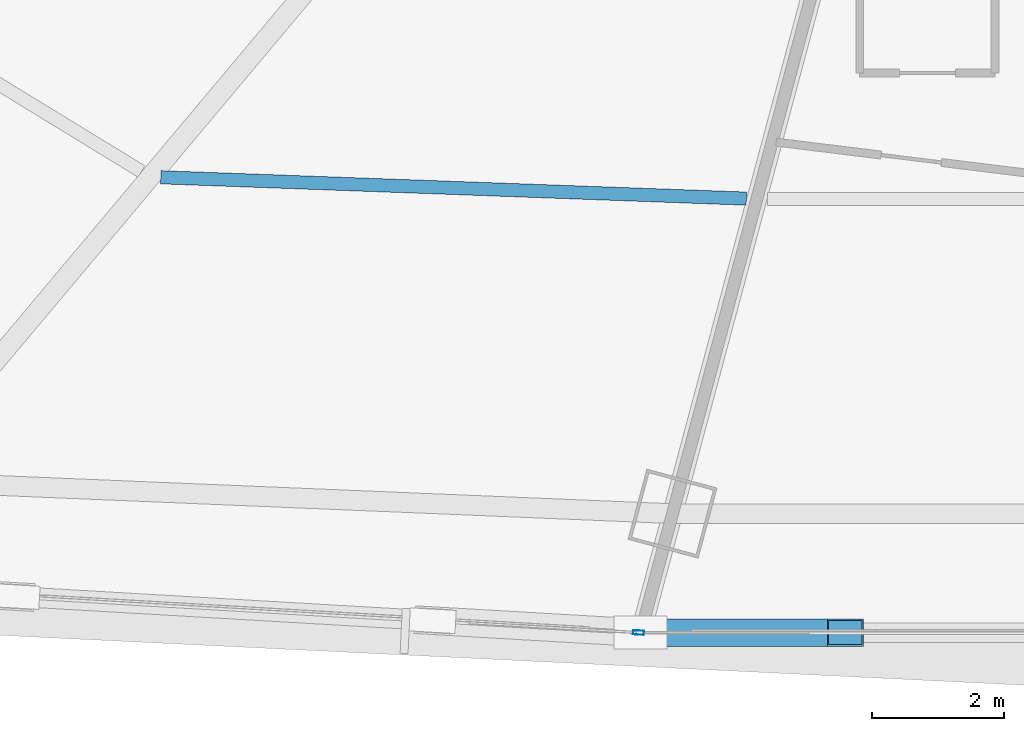
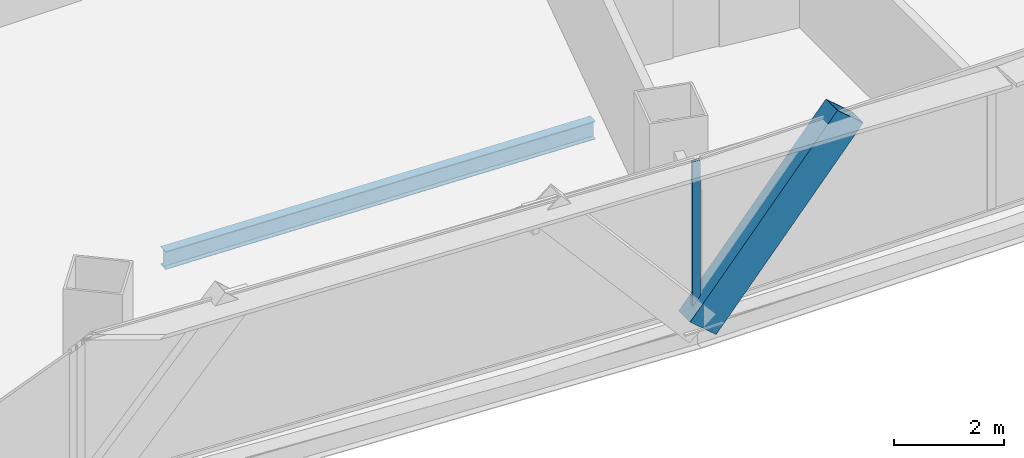
# One storey, part 8 of 38: 2 members, 1 beam, 1 element without a shape of its own.
"""IFC4 building model written with IfcOpenShell, lengths in metres."""

from ifc_helpers import new_model, si_unit, direction, frame, origin, origin_2d, place, context, subcontext, project, spatial, hollow_rectangle, i_section, extrude, source, transform, mapped, material, layer, layer_set, material_profile, profile_set, type_object, element, aggregate, save


model = new_model("IFC4")

# Units and contexts
model_context = context("Model", 3, precision=1e-05, world=origin(), true_north=direction((0.0, 1.0)))
body_context = subcontext(model_context, "Body", "Model", "MODEL_VIEW")
ifc_project = project(units=[si_unit("LENGTHUNIT", "METRE"), si_unit("AREAUNIT", "SQUARE_METRE"), si_unit("VOLUMEUNIT", "CUBIC_METRE"), si_unit("PLANEANGLEUNIT", "RADIAN"), si_unit("MASSUNIT", "GRAM", prefix="KILO"), si_unit("THERMODYNAMICTEMPERATUREUNIT", "KELVIN"), si_unit("POWERUNIT", "WATT")], contexts=[model_context])

# Site, building, storey
site_placement = place(None, origin())
site = spatial("IfcSite", under=ifc_project, at=site_placement, CompositionType="ELEMENT")
building_placement = place(site_placement, origin())
building = spatial("IfcBuilding", under=site, at=building_placement, Name="Yunzhuo Pagoda Commons", CompositionType="ELEMENT")
storey_placement = place(building_placement, frame((0.0, 0.0, 34.030029296875)))
storey = spatial("IfcBuildingStorey", under=building, at=storey_placement, Name="L08", CompositionType="ELEMENT", Elevation=34.030029296875)

# Beam
ifc_material_1 = material(Name="Structural steel Q355B", Category="steel")
ifc_material_profile_1 = material_profile(ifc_material_1, i_section(OverallWidth=0.199951171875, OverallDepth=0.39990234375, WebThickness=0.008056640625, FlangeThickness=0.012939453125, at=origin_2d()), Name="Structural steel Q355B")
ifc_profile_set_1 = profile_set([ifc_material_profile_1], Name="Structural steel Q355B")
beam_type = type_object("IfcBeamType", Name="B-JS1 Joist HN 400x200x8x13", PredefinedType="JOIST", material=ifc_profile_set_1)
shared_shape_1 = source(origin(), body_context, "Body", "SweptSolid", [
    extrude(i_section(OverallWidth=0.199951171875, OverallDepth=0.39990234375, WebThickness=0.008056640625, FlangeThickness=0.012939453125, at=origin_2d()), origin(), (0.0, 0.0, 1.0), 8.876953125),
])
beam_placement = place(storey_placement, frame((34.527099609375, 17.448486328125, -0.4599609375), z_axis=(0.999335806416, -0.036440993601, 0.0), x_axis=(0.036440993601, 0.999335806416, 0.0)))
element("IfcBeam", 1, at=beam_placement, inside=storey, type_object=beam_type, Name="L08 composite ring joist 2.1", PredefinedType="JOIST", context=body_context, shape_type="MappedRepresentation", body=[
    mapped(shared_shape_1, transform((0.0, 0.0, 0.0), scale=1.0)),
])

# Member
ifc_material_2 = material(Name="Structural steel Q420B", Category="steel")
ifc_material_profile_2 = material_profile(ifc_material_2, hollow_rectangle(XDim=0.419921875, YDim=0.719970703125, WallThickness=0.028076171875, at=origin_2d()), Name="Structural steel Q420B")
ifc_profile_set_2 = profile_set([ifc_material_profile_2], Name="Structural steel Q420B")
member_type_1 = type_object("IfcMemberType", Name="M-DL1 Brace BOX 720x420x28", PredefinedType="BRACE", material=ifc_profile_set_2)
shared_shape_2 = source(origin(), body_context, "Body", "SweptSolid", [
    extrude(hollow_rectangle(XDim=0.419921875, YDim=0.719970703125, WallThickness=0.028076171875, at=origin_2d()), origin(), (0.0, 0.0, 1.0), 4.7744140625),
])
member_1_placement = place(storey_placement, frame((41.79638671875, 10.548095703125, -0.259765625), z_axis=(0.649666298167, 0.0, 0.760219508449), x_axis=(0.0, 1.0, 0.0)))
element("IfcMember", 2, at=member_1_placement, inside=storey, type_object=member_type_1, Name="L08 facade diamond brace F1.2L", PredefinedType="BRACE", context=body_context, shape_type="MappedRepresentation", body=[
    mapped(shared_shape_2, transform((0.0, 0.0, 0.0), scale=1.0)),
])

# Curtain wall, member
ifc_material_3 = material(Name="Anodized aluminium 6063-T6", Category="aluminium")
ifc_layer = layer(ifc_material_3, 0.1650390625)
ifc_layer_set = layer_set([ifc_layer], Name="Anodized aluminium 6063-T6")
curtain_wall_type = type_object("IfcCurtainWallType", Name="CW-LOW Low-Zone Ribbon Curtain Wall", PredefinedType="NOTDEFINED", material=ifc_layer_set)
curtain_wall_placement = place(storey_placement, origin())
curtain_wall = element("IfcCurtainWall", 3, at=curtain_wall_placement, inside=storey, type_object=curtain_wall_type, Name="L08 curtain wall CW-L08-F1B2", PredefinedType="NOTDEFINED")
ifc_material_profile_3 = material_profile(ifc_material_3, hollow_rectangle(XDim=0.06494140625, YDim=0.1650390625, WallThickness=0.00390625, at=origin_2d()), Name="Anodized aluminium 6063-T6")
ifc_profile_set_3 = profile_set([ifc_material_profile_3], Name="Anodized aluminium 6063-T6")
member_type_2 = type_object("IfcMemberType", Name="CW-LOW-M Mullion RHS 165x65x4", PredefinedType="MULLION", material=ifc_profile_set_3)
shared_shape_3 = source(origin(), body_context, "Body", "SweptSolid", [
    extrude(hollow_rectangle(XDim=0.06494140625, YDim=0.1650390625, WallThickness=0.00390625, at=origin_2d()), origin(), (0.0, 0.0, 1.0), 3.369873046875),
])
member_2_placement = place(storey_placement, frame((41.76416015625, 10.550048828125, 0.0), z_axis=(0.0, 0.0, 1.0), x_axis=(0.05789866519, 0.998322465223, 0.0)))
member_2 = element("IfcMember", 4, at=member_2_placement, type_object=member_type_2, Name="CW mullion 2", PredefinedType="MULLION", context=body_context, shape_type="MappedRepresentation", body=[
    mapped(shared_shape_3, transform((0.0, 0.0, 0.0), scale=1.0)),
])
aggregate(curtain_wall, [member_2])

save(model, "model.ifc")
